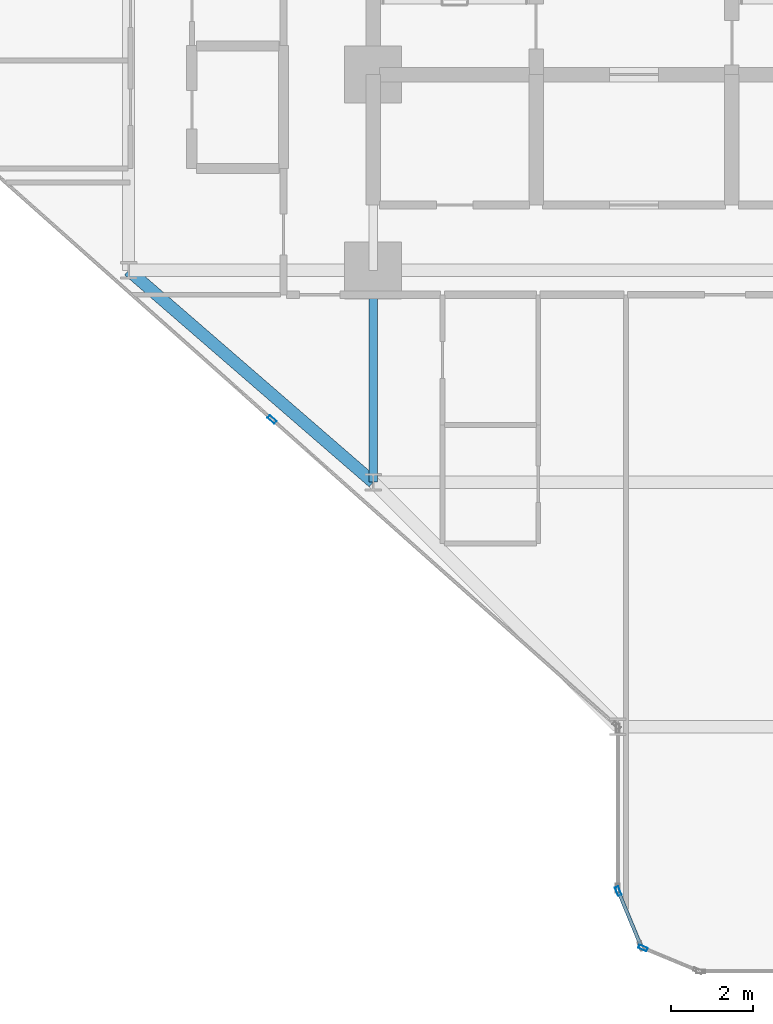
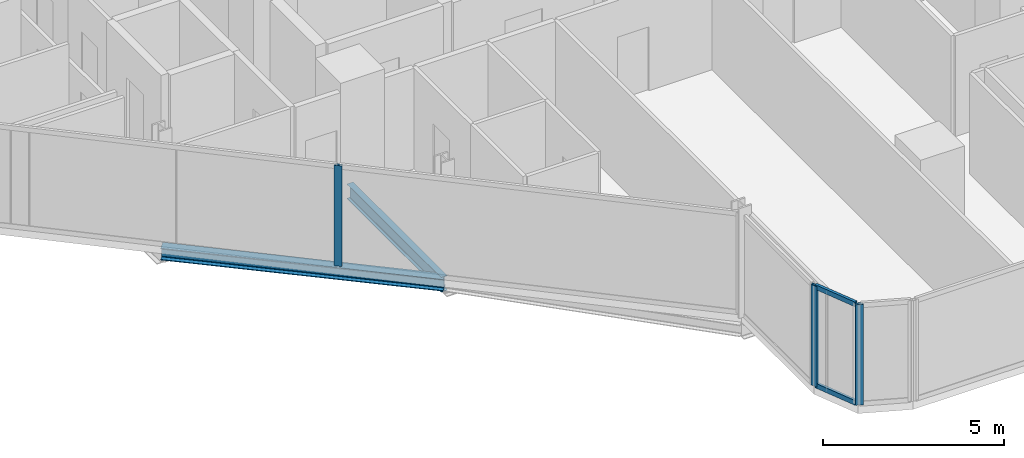
# One storey, part 2 of 33: 5 members, 2 beams, 3 elements without a shape of their own.
"""IFC4 building model written with IfcOpenShell, lengths in metres."""

from ifc_helpers import new_model, si_unit, direction, frame, origin, origin_2d, place, context, subcontext, project, spatial, hollow_rectangle, i_section, extrude, material, layer, layer_set, material_profile, profile_set, type_object, element, aggregate, save


model = new_model("IFC4")

# Units and contexts
model_context = context("Model", 3, precision=1e-05, world=origin(), true_north=direction((0.0, 1.0)))
body_context = subcontext(model_context, "Body", "Model", "MODEL_VIEW")
ifc_project = project(units=[si_unit("LENGTHUNIT", "METRE"), si_unit("AREAUNIT", "SQUARE_METRE"), si_unit("VOLUMEUNIT", "CUBIC_METRE"), si_unit("PLANEANGLEUNIT", "RADIAN"), si_unit("MASSUNIT", "GRAM", prefix="KILO")], contexts=[model_context])

# Site, building, storey
site_placement = place(None, origin())
site = spatial("IfcSite", under=ifc_project, at=site_placement, CompositionType="ELEMENT")
building_placement = place(site_placement, origin())
building = spatial("IfcBuilding", under=site, at=building_placement, Name="Keshet Zoharim Tower", CompositionType="ELEMENT")
storey_placement = place(building_placement, frame((0.0, 0.0, 42.5)))
storey = spatial("IfcBuildingStorey", under=building, at=storey_placement, Name="L09", CompositionType="ELEMENT", Elevation=42.5)

# Beams
ifc_material_1 = material(Name="Steel S355", Category="steel")
ifc_material_profile_1 = material_profile(ifc_material_1, i_section(OverallWidth=0.199951171875, OverallDepth=0.5, WebThickness=0.01025390625, FlangeThickness=0.01611328125, FilletRadius=0.02099609375, at=origin_2d()), Name="IPE500")
ifc_profile_set_1 = profile_set([ifc_material_profile_1], Name="Steel S355")
beam_type_1 = type_object("IfcBeamType", Name="BM-PRI-IP500", PredefinedType="BEAM", material=ifc_profile_set_1)
beam_1_placement = place(storey_placement, frame((15.0, 12.699951171875, -0.56494140625), z_axis=(0.0, 1.0, 0.0), x_axis=(-1.0, 0.0, 0.0)))
element("IfcBeam", 1, at=beam_1_placement, inside=storey, type_object=beam_type_1, Name="L09 Primary Girder Y-002", PredefinedType="BEAM", context=body_context, shape_type="SweptSolid", body=[
    extrude(i_section(OverallWidth=0.199951171875, OverallDepth=0.5, WebThickness=0.01025390625, FlangeThickness=0.01611328125, FilletRadius=0.02099609375, at=origin_2d()), origin(), (0.0, 0.0, 1.0), 5.199951171875),
])
ifc_material_profile_2 = material_profile(ifc_material_1, i_section(OverallWidth=0.300048828125, OverallDepth=0.39990234375, WebThickness=0.013427734375, FlangeThickness=0.02392578125, FilletRadius=0.027099609375, at=origin_2d()), Name="HEB400")
ifc_profile_set_2 = profile_set([ifc_material_profile_2], Name="Steel S355")
beam_type_2 = type_object("IfcBeamType", Name="BM-SPN-HB400", PredefinedType="SPANDREL", material=ifc_profile_set_2)
beam_2_placement = place(storey_placement, frame((9.0, 17.89990234375, -0.514892578125), z_axis=(0.755692126483, -0.654927026447, 0.0), x_axis=(0.654927026447, 0.755692126483, 0.0)))
element("IfcBeam", 2, at=beam_2_placement, inside=storey, type_object=beam_type_2, Name="L09 Perimeter Spandrel Beam 02", PredefinedType="SPANDREL", context=body_context, shape_type="SweptSolid", body=[
    extrude(i_section(OverallWidth=0.300048828125, OverallDepth=0.39990234375, WebThickness=0.013427734375, FlangeThickness=0.02392578125, FilletRadius=0.027099609375, at=origin_2d()), origin(), (0.0, 0.0, 1.0), 7.939697265625),
])

# Curtain wall, member
ifc_material_2 = material(Name="Aluminium 6063-T6", Category="aluminium")
ifc_layer = layer(ifc_material_2, 0.179931640625)
ifc_layer_set = layer_set([ifc_layer], Name="Aluminium 6063-T6")
curtain_wall_type = type_object("IfcCurtainWallType", Name="CW-SYS-01", PredefinedType="NOTDEFINED", material=ifc_layer_set)
curtain_wall_1_placement = place(storey_placement, origin())
curtain_wall_1 = element("IfcCurtainWall", 3, at=curtain_wall_1_placement, inside=storey, type_object=curtain_wall_type, Name="L09 Unitised Curtain Wall 01", PredefinedType="NOTDEFINED")
ifc_material_profile_3 = material_profile(ifc_material_2, hollow_rectangle(XDim=0.090087890625, YDim=0.219970703125, WallThickness=0.0048828125, at=origin_2d()), Name="MUL-90x220")
ifc_profile_set_3 = profile_set([ifc_material_profile_3], Name="Aluminium 6063-T6")
member_type_1 = type_object("IfcMemberType", Name="CWM-M22", PredefinedType="MULLION", material=ifc_profile_set_3)
member_1_placement = place(storey_placement, frame((12.517578125, 14.239990234375, 0.0), z_axis=(0.0, 0.0, 1.0), x_axis=(-0.664363838836, -0.747409318679, 0.0)))
member_1 = element("IfcMember", 4, at=member_1_placement, type_object=member_type_1, Name="CW-01 mullion 2", PredefinedType="MULLION", context=body_context, shape_type="SweptSolid", body=[
    extrude(hollow_rectangle(XDim=0.090087890625, YDim=0.219970703125, WallThickness=0.0048828125, at=origin_2d()), origin(), (0.0, 0.0, 1.0), 3.385009765625),
])
aggregate(curtain_wall_1, [member_1])

curtain_wall_2_placement = place(storey_placement, origin())
curtain_wall_2 = element("IfcCurtainWall", 5, at=curtain_wall_2_placement, inside=storey, type_object=curtain_wall_type, Name="L09 Unitised Curtain Wall 27", PredefinedType="NOTDEFINED")
member_2_placement = place(storey_placement, frame((21.618408203125, 1.272705078125, 0.0), z_axis=(0.0, 0.0, 1.0), x_axis=(-0.382851849847, -0.92380975372, 0.0)))
member_2 = element("IfcMember", 6, at=member_2_placement, type_object=member_type_1, Name="CW-01 mullion 2", PredefinedType="MULLION", context=body_context, shape_type="SweptSolid", body=[
    extrude(hollow_rectangle(XDim=0.090087890625, YDim=0.219970703125, WallThickness=0.0048828125, at=origin_2d()), origin(), (0.0, 0.0, 1.0), 3.385009765625),
])
aggregate(curtain_wall_2, [member_2])

# Curtain wall, members
curtain_wall_3_placement = place(storey_placement, origin())
curtain_wall_3 = element("IfcCurtainWall", 7, at=curtain_wall_3_placement, inside=storey, type_object=curtain_wall_type, Name="L09 Unitised Curtain Wall 28", PredefinedType="NOTDEFINED")
member_3_placement = place(storey_placement, frame((21.013427734375, 2.667724609375, 0.0), z_axis=(0.0, 0.0, 1.0), x_axis=(-0.92380975372, -0.382851849847, 0.0)))
member_3 = element("IfcMember", 8, at=member_3_placement, type_object=member_type_1, Name="CW-01 mullion 2", PredefinedType="MULLION", context=body_context, shape_type="SweptSolid", body=[
    extrude(hollow_rectangle(XDim=0.090087890625, YDim=0.219970703125, WallThickness=0.0048828125, at=origin_2d()), origin(), (0.0, 0.0, 1.0), 3.385009765625),
])
ifc_material_profile_4 = material_profile(ifc_material_2, hollow_rectangle(XDim=0.0849609375, YDim=0.159912109375, WallThickness=0.00439453125, at=origin_2d()), Name="TRN-85x160")
ifc_profile_set_4 = profile_set([ifc_material_profile_4], Name="Aluminium 6063-T6")
member_type_2 = type_object("IfcMemberType", Name="CWT-T16", PredefinedType="USERDEFINED", material=ifc_profile_set_4)
member_4_placement = place(storey_placement, frame((21.55908203125, 1.3505859375, 0.034912109375), z_axis=(-0.382744609247, 0.923854189844, 0.0), x_axis=(-0.923854189844, -0.382744609247, 0.0)))
member_4 = element("IfcMember", 9, at=member_4_placement, type_object=member_type_2, Name="CW-01 transom 1.1", ObjectType="TRANSOM", PredefinedType="USERDEFINED", context=body_context, shape_type="SweptSolid", body=[
    extrude(hollow_rectangle(XDim=0.0849609375, YDim=0.159912109375, WallThickness=0.00439453125, at=origin_2d()), origin(), (0.0, 0.0, 1.0), 1.390625),
])
member_5_placement = place(storey_placement, frame((21.55908203125, 1.3505859375, 3.35009765625), z_axis=(-0.382744609247, 0.923854189844, 0.0), x_axis=(-0.923854189844, -0.382744609247, 0.0)))
member_5 = element("IfcMember", 10, at=member_5_placement, type_object=member_type_2, Name="CW-01 transom 1.2", ObjectType="TRANSOM", PredefinedType="USERDEFINED", context=body_context, shape_type="SweptSolid", body=[
    extrude(hollow_rectangle(XDim=0.0849609375, YDim=0.159912109375, WallThickness=0.00439453125, at=origin_2d()), origin(), (0.0, 0.0, 1.0), 1.390625),
])
aggregate(curtain_wall_3, [member_3, member_4, member_5])

save(model, "model.ifc")
